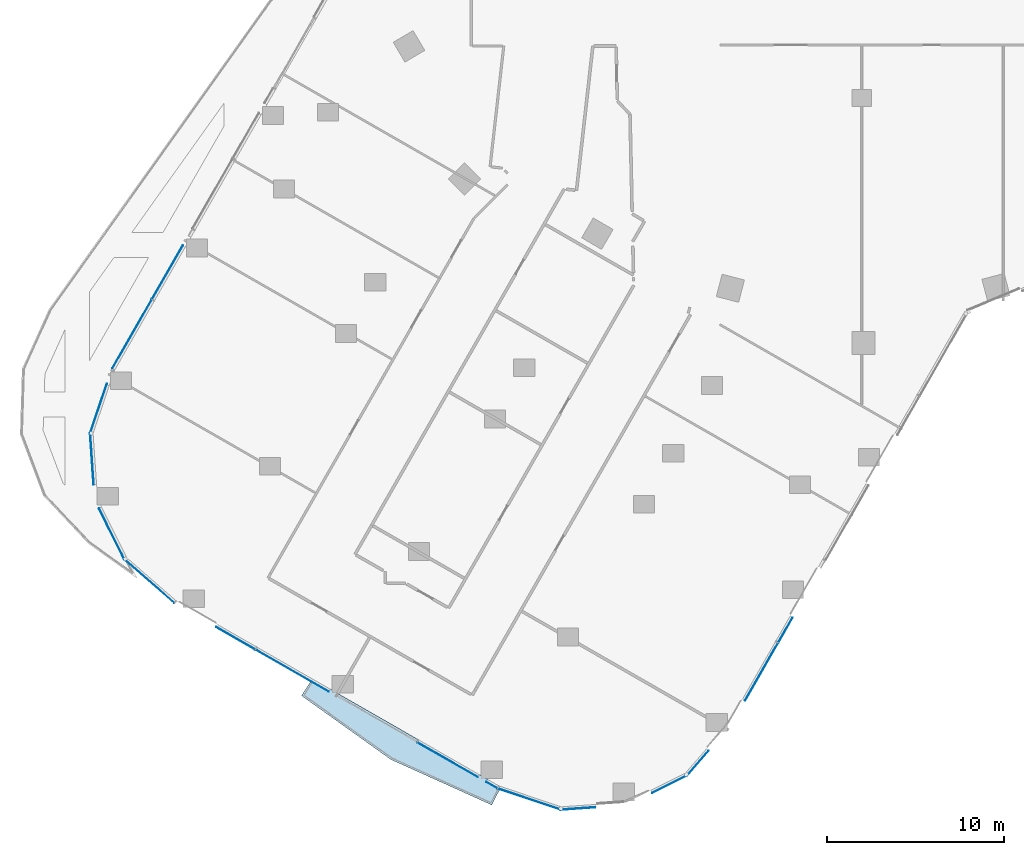
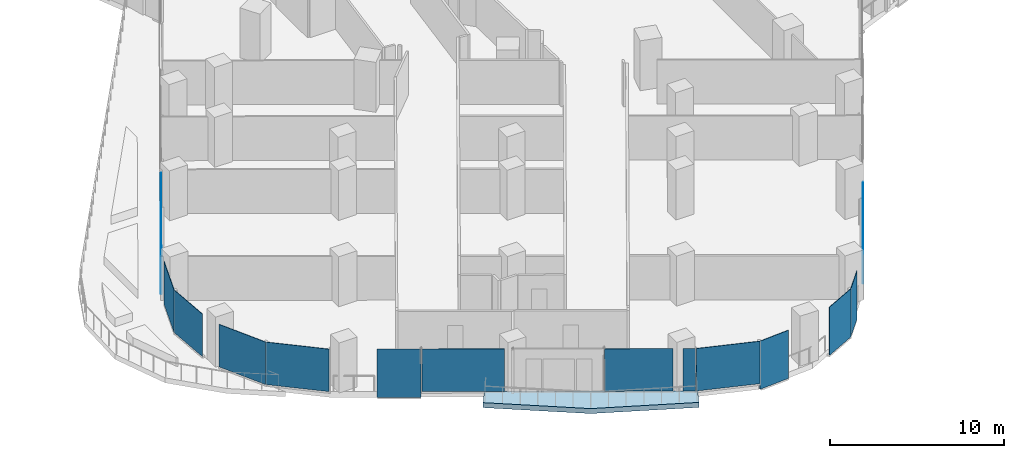
# One storey, part 16 of 34: 16 plates, 1 slab, 11 elements without a shape of their own.
"""IFC4 building model written with IfcOpenShell, lengths in metres."""

from ifc_helpers import new_model, si_unit, direction, frame, origin, origin_2d, place, context, subcontext, project, spatial, polyline, rectangle, outline, extrude, material, layer, layer_set, type_object, element, aggregate, save


model = new_model("IFC4")

# Units and contexts
model_context = context("Model", 3, precision=1e-05, world=origin(), true_north=direction((0.0, 1.0)))
body_context = subcontext(model_context, "Body", "Model", "MODEL_VIEW")
ifc_project = project(units=[si_unit("LENGTHUNIT", "METRE"), si_unit("AREAUNIT", "SQUARE_METRE"), si_unit("VOLUMEUNIT", "CUBIC_METRE"), si_unit("PLANEANGLEUNIT", "RADIAN"), si_unit("MASSUNIT", "GRAM", prefix="KILO")], contexts=[model_context])

# Site, building, storey
site_placement = place(None, origin())
site = spatial("IfcSite", under=ifc_project, at=site_placement, CompositionType="ELEMENT")
building_placement = place(site_placement, origin())
building = spatial("IfcBuilding", under=site, at=building_placement, Name="Orlundy Tower", CompositionType="ELEMENT")
storey_placement = place(building_placement, frame((0.0, 0.0, 102.199951171875)))
storey = spatial("IfcBuildingStorey", under=building, at=storey_placement, Name="L25", CompositionType="ELEMENT", Elevation=102.199951171875)

# Curtain wall, plates
ifc_material_1 = material(Name="Aluminium bronze anodised", Category="aluminium")
curtain_wall_type = type_object("IfcCurtainWallType", Name="CW1 wall", PredefinedType="NOTDEFINED", material=ifc_material_1)
curtain_wall_1_placement = place(storey_placement, origin())
curtain_wall_1 = element("IfcCurtainWall", 1, at=curtain_wall_1_placement, inside=storey, type_object=curtain_wall_type, Name="CW1 run 02", PredefinedType="NOTDEFINED")
ifc_material_2 = material(Name="Tinted glass", Category="glass")
ifc_layer_1 = layer(ifc_material_2, 0.031982421875)
ifc_layer_set_1 = layer_set([ifc_layer_1], Name="CW1 glass panel 32")
plate_type = type_object("IfcPlateType", Name="CW1 glass panel 32", PredefinedType="CURTAIN_PANEL", material=ifc_layer_set_1)
plate_1_placement = place(storey_placement, frame((-4.305908203125, -48.041259765625, -0.27978515625), z_axis=(0.0, 0.0, 1.0), x_axis=(-0.497473280125, -0.867479299789, 0.0)))
plate_1 = element("IfcPlate", 2, at=plate_1_placement, type_object=plate_type, Name="CW1 panel", PredefinedType="CURTAIN_PANEL", context=body_context, shape_type="SweptSolid", body=[
    extrude(rectangle(XDim=1.60205078125, YDim=0.031982421875, at=origin_2d()), origin(), (0.0, 0.0, 1.0), 3.3798828125),
])
plate_2_placement = place(storey_placement, frame((-5.656005859375, -50.395263671875, -0.27978515625), z_axis=(0.0, 0.0, 1.0), x_axis=(-0.497473280125, -0.867479299789, 0.0)))
plate_2 = element("IfcPlate", 3, at=plate_2_placement, type_object=plate_type, Name="CW1 panel", PredefinedType="CURTAIN_PANEL", context=body_context, shape_type="SweptSolid", body=[
    extrude(rectangle(XDim=3.7255859375, YDim=0.031982421875, at=origin_2d()), origin(), (0.0, 0.0, 1.0), 3.3798828125),
])
aggregate(curtain_wall_1, [plate_1, plate_2])

# Curtain wall, plate
curtain_wall_2_placement = place(storey_placement, origin())
curtain_wall_2 = element("IfcCurtainWall", 4, at=curtain_wall_2_placement, inside=storey, type_object=curtain_wall_type, Name="CW1 run 03", PredefinedType="NOTDEFINED")
plate_3_placement = place(storey_placement, frame((-9.248779296875, -55.55078125, -0.27978515625), z_axis=(0.0, 0.0, 1.0), x_axis=(-0.657166641446, -0.753745318639, 0.0)))
plate_3 = element("IfcPlate", 5, at=plate_3_placement, type_object=plate_type, Name="CW1 panel", PredefinedType="CURTAIN_PANEL", context=body_context, shape_type="SweptSolid", body=[
    extrude(rectangle(XDim=1.853515625, YDim=0.031982421875, at=origin_2d()), origin(), (0.0, 0.0, 1.0), 3.3798828125),
])
aggregate(curtain_wall_2, [plate_3])

curtain_wall_3_placement = place(storey_placement, origin())
curtain_wall_3 = element("IfcCurtainWall", 6, at=curtain_wall_3_placement, inside=storey, type_object=curtain_wall_type, Name="CW1 run 04", PredefinedType="NOTDEFINED")
plate_4_placement = place(storey_placement, frame((-10.843994140625, -56.7392578125, -0.27978515625), z_axis=(0.0, 0.0, 1.0), x_axis=(-0.895610995013, -0.444838111689, 0.0)))
plate_4 = element("IfcPlate", 7, at=plate_4_placement, type_object=plate_type, Name="CW1 panel", PredefinedType="CURTAIN_PANEL", context=body_context, shape_type="SweptSolid", body=[
    extrude(rectangle(XDim=2.202392578125, YDim=0.031982421875, at=origin_2d()), origin(), (0.0, 0.0, 1.0), 3.3798828125),
])
aggregate(curtain_wall_3, [plate_4])

curtain_wall_4_placement = place(storey_placement, origin())
curtain_wall_4 = element("IfcCurtainWall", 8, at=curtain_wall_4_placement, inside=storey, type_object=curtain_wall_type, Name="CW1 run 05", PredefinedType="NOTDEFINED")
plate_5_placement = place(storey_placement, frame((-16.021484375, -58.11865234375, -0.27978515625), z_axis=(0.0, 0.0, 1.0), x_axis=(-0.99764944579, -0.068524326451, 0.0)))
plate_5 = element("IfcPlate", 9, at=plate_5_placement, type_object=plate_type, Name="CW1 panel", PredefinedType="CURTAIN_PANEL", context=body_context, shape_type="SweptSolid", body=[
    extrude(rectangle(XDim=1.960205078125, YDim=0.031982421875, at=origin_2d()), origin(), (0.0, 0.0, 1.0), 3.3798828125),
])
aggregate(curtain_wall_4, [plate_5])

curtain_wall_5_placement = place(storey_placement, origin())
curtain_wall_5 = element("IfcCurtainWall", 10, at=curtain_wall_5_placement, inside=storey, type_object=curtain_wall_type, Name="CW1 run 06", PredefinedType="NOTDEFINED")
plate_6_placement = place(storey_placement, frame((-18.76708984375, -57.591064453125, 0.1201171875), z_axis=(0.0, 0.0, 1.0), x_axis=(-0.947789215135, 0.318897481446, 0.0)))
plate_6 = element("IfcPlate", 11, at=plate_6_placement, type_object=plate_type, Name="CW1 panel", PredefinedType="CURTAIN_PANEL", context=body_context, shape_type="SweptSolid", body=[
    extrude(rectangle(XDim=3.730224609375, YDim=0.031982421875, at=origin_2d()), origin(), (0.0, 0.0, 1.0), 2.97998046875),
])
aggregate(curtain_wall_5, [plate_6])

# Curtain wall, plates
curtain_wall_6_placement = place(storey_placement, origin())
curtain_wall_6 = element("IfcCurtainWall", 12, at=curtain_wall_6_placement, inside=storey, type_object=curtain_wall_type, Name="CW1 run 07", PredefinedType="NOTDEFINED")
plate_7_placement = place(storey_placement, frame((-20.890625, -56.7978515625, 0.1201171875), z_axis=(0.0, 0.0, 1.0), x_axis=(-0.867477274334, 0.497476812036, 0.0)))
plate_7 = element("IfcPlate", 13, at=plate_7_placement, type_object=plate_type, Name="CW1 panel", PredefinedType="CURTAIN_PANEL", context=body_context, shape_type="SweptSolid", body=[
    extrude(rectangle(XDim=0.715087890625, YDim=0.031982421875, at=origin_2d()), origin(), (0.0, 0.0, 1.0), 2.97998046875),
])
plate_8_placement = place(storey_placement, frame((-23.39599609375, -55.361083984375, 0.1201171875), z_axis=(0.0, 0.0, 1.0), x_axis=(-0.867477274334, 0.497476812036, 0.0)))
plate_8 = element("IfcPlate", 14, at=plate_8_placement, type_object=plate_type, Name="CW1 panel", PredefinedType="CURTAIN_PANEL", context=body_context, shape_type="SweptSolid", body=[
    extrude(rectangle(XDim=3.9404296875, YDim=0.031982421875, at=origin_2d()), origin(), (0.0, 0.0, 1.0), 2.97998046875),
])
plate_9_placement = place(storey_placement, frame((-32.1572265625, -50.336669921875, 0.1201171875), z_axis=(0.0, 0.0, 1.0), x_axis=(-0.867477274334, 0.497476812036, 0.0)))
plate_9 = element("IfcPlate", 15, at=plate_9_placement, type_object=plate_type, Name="CW1 panel", PredefinedType="CURTAIN_PANEL", context=body_context, shape_type="SweptSolid", body=[
    extrude(rectangle(XDim=4.740966796875, YDim=0.031982421875, at=origin_2d()), origin(), (0.0, 0.0, 1.0), 2.97998046875),
])
plate_10_placement = place(storey_placement, frame((-35.35693359375, -48.501708984375, -0.27978515625), z_axis=(0.0, 0.0, 1.0), x_axis=(-0.867477274334, 0.497476812036, 0.0)))
plate_10 = element("IfcPlate", 16, at=plate_10_placement, type_object=plate_type, Name="CW1 panel", PredefinedType="CURTAIN_PANEL", context=body_context, shape_type="SweptSolid", body=[
    extrude(rectangle(XDim=2.535888671875, YDim=0.031982421875, at=origin_2d()), origin(), (0.0, 0.0, 1.0), 3.3798828125),
])
aggregate(curtain_wall_6, [plate_7, plate_8, plate_9, plate_10])

# Curtain wall, plate
curtain_wall_7_placement = place(storey_placement, origin())
curtain_wall_7 = element("IfcCurtainWall", 17, at=curtain_wall_7_placement, inside=storey, type_object=curtain_wall_type, Name="CW1 run 08", PredefinedType="NOTDEFINED")
plate_11_placement = place(storey_placement, frame((-40.228515625, -45.282958984375, 0.1201171875), z_axis=(0.0, 0.0, 1.0), x_axis=(-0.753745318639, 0.657166641446, 0.0)))
plate_11 = element("IfcPlate", 18, at=plate_11_placement, type_object=plate_type, Name="CW1 panel", PredefinedType="CURTAIN_PANEL", context=body_context, shape_type="SweptSolid", body=[
    extrude(rectangle(XDim=3.73046875, YDim=0.031982421875, at=origin_2d()), origin(), (0.0, 0.0, 1.0), 2.97998046875),
])
aggregate(curtain_wall_7, [plate_11])

curtain_wall_8_placement = place(storey_placement, origin())
curtain_wall_8 = element("IfcCurtainWall", 19, at=curtain_wall_8_placement, inside=storey, type_object=curtain_wall_type, Name="CW1 run 09", PredefinedType="NOTDEFINED")
plate_12_placement = place(storey_placement, frame((-42.349853515625, -42.6181640625, 0.1201171875), z_axis=(0.0, 0.0, 1.0), x_axis=(-0.445161977313, 0.895450062234, 0.0)))
plate_12 = element("IfcPlate", 20, at=plate_12_placement, type_object=plate_type, Name="CW1 panel", PredefinedType="CURTAIN_PANEL", context=body_context, shape_type="SweptSolid", body=[
    extrude(rectangle(XDim=3.21435546875, YDim=0.031982421875, at=origin_2d()), origin(), (0.0, 0.0, 1.0), 2.97998046875),
])
aggregate(curtain_wall_8, [plate_12])

curtain_wall_9_placement = place(storey_placement, origin())
curtain_wall_9 = element("IfcCurtainWall", 21, at=curtain_wall_9_placement, inside=storey, type_object=curtain_wall_type, Name="CW1 run 010", PredefinedType="NOTDEFINED")
plate_13_placement = place(storey_placement, frame((-43.471435546875, -38.369873046875, 0.1201171875), z_axis=(0.0, 0.0, 1.0), x_axis=(-0.068255804988, 0.997667853088, 0.0)))
plate_13 = element("IfcPlate", 22, at=plate_13_placement, type_object=plate_type, Name="CW1 panel", PredefinedType="CURTAIN_PANEL", context=body_context, shape_type="SweptSolid", body=[
    extrude(rectangle(XDim=2.913330078125, YDim=0.031982421875, at=origin_2d()), origin(), (0.0, 0.0, 1.0), 2.97998046875),
])
aggregate(curtain_wall_9, [plate_13])

curtain_wall_10_placement = place(storey_placement, origin())
curtain_wall_10 = element("IfcCurtainWall", 23, at=curtain_wall_10_placement, inside=storey, type_object=curtain_wall_type, Name="CW1 run 011", PredefinedType="NOTDEFINED")
plate_14_placement = place(storey_placement, frame((-43.101318359375, -35.52099609375, 0.1201171875), z_axis=(0.0, 0.0, 1.0), x_axis=(0.318815956268, 0.947816641566, 0.0)))
plate_14 = element("IfcPlate", 24, at=plate_14_placement, type_object=plate_type, Name="CW1 panel", PredefinedType="CURTAIN_PANEL", context=body_context, shape_type="SweptSolid", body=[
    extrude(rectangle(XDim=2.94482421875, YDim=0.031982421875, at=origin_2d()), origin(), (0.0, 0.0, 1.0), 2.97998046875),
])
aggregate(curtain_wall_10, [plate_14])

# Curtain wall, plates
curtain_wall_11_placement = place(storey_placement, origin())
curtain_wall_11 = element("IfcCurtainWall", 25, at=curtain_wall_11_placement, inside=storey, type_object=curtain_wall_type, Name="CW1 run 012", PredefinedType="NOTDEFINED")
plate_15_placement = place(storey_placement, frame((-41.205322265625, -31.31982421875, 0.1201171875), z_axis=(0.0, 0.0, 1.0), x_axis=(0.497468306172, 0.867482152182, 0.0)))
plate_15 = element("IfcPlate", 26, at=plate_15_placement, type_object=plate_type, Name="CW1 panel", PredefinedType="CURTAIN_PANEL", context=body_context, shape_type="SweptSolid", body=[
    extrude(rectangle(XDim=4.4638671875, YDim=0.031982421875, at=origin_2d()), origin(), (0.0, 0.0, 1.0), 2.97998046875),
])
plate_16_placement = place(storey_placement, frame((-39.20556640625, -27.83251953125, 0.1201171875), z_axis=(0.0, 0.0, 1.0), x_axis=(0.497468306172, 0.867482152182, 0.0)))
plate_16 = element("IfcPlate", 27, at=plate_16_placement, type_object=plate_type, Name="CW1 panel", PredefinedType="CURTAIN_PANEL", context=body_context, shape_type="SweptSolid", body=[
    extrude(rectangle(XDim=3.475830078125, YDim=0.031982421875, at=origin_2d()), origin(), (0.0, 0.0, 1.0), 2.97998046875),
])
aggregate(curtain_wall_11, [plate_15, plate_16])

# Slab
ifc_material_3 = material(Name="Concrete C45/55", Category="concrete")
ifc_layer_2 = layer(ifc_material_3, 0.35009765625)
ifc_layer_set_2 = layer_set([ifc_layer_2], Name="TERRACE SLAB 350 C45/55")
slab_type = type_object("IfcSlabType", Name="TERRACE SLAB 350 C45/55", PredefinedType="ROOF", material=ifc_layer_set_2)
slab_placement = place(storey_placement, frame((0.0, 0.0, -0.349853515625)))
element("IfcSlab", 28, at=slab_placement, inside=storey, type_object=slab_type, Name="Terrace slab L25-2", PredefinedType="ROOF", context=body_context, shape_type="SweptSolid", body=[
    extrude(outline(polyline([(-31.635986328125, -51.7470703125), (-31.02490234375, -50.7958984375), (-20.375, -56.906005859375), (-20.89208984375, -57.91796875), (-26.5849609375, -55.35107421875), (-31.635986328125, -51.7470703125)])), origin(), (0.0, 0.0, 1.0), 0.349853515625),
])

save(model, "model.ifc")
